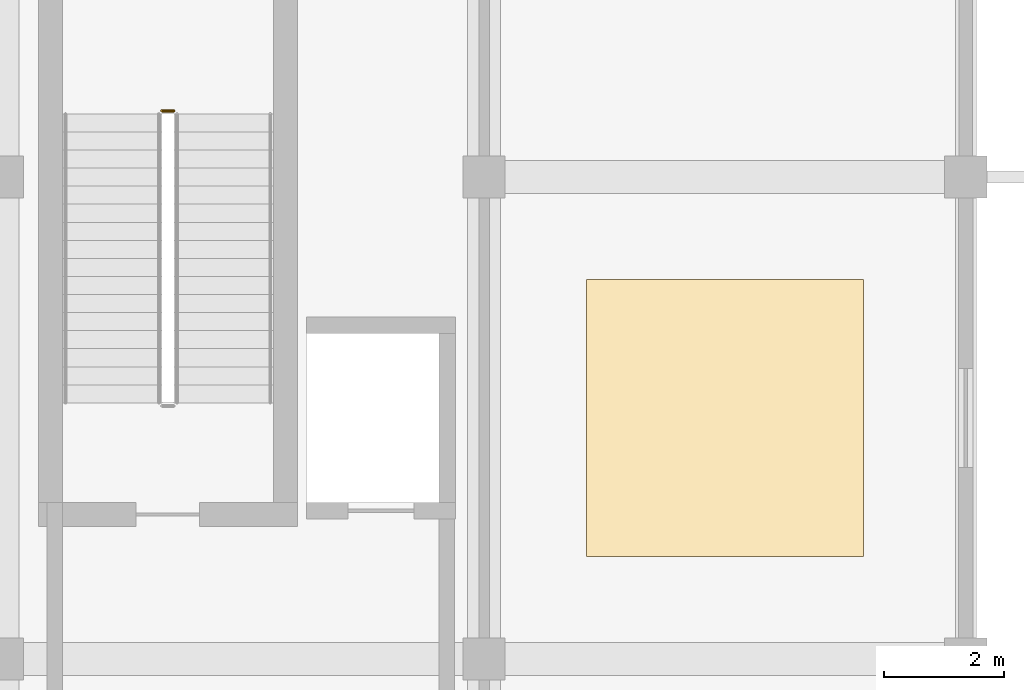
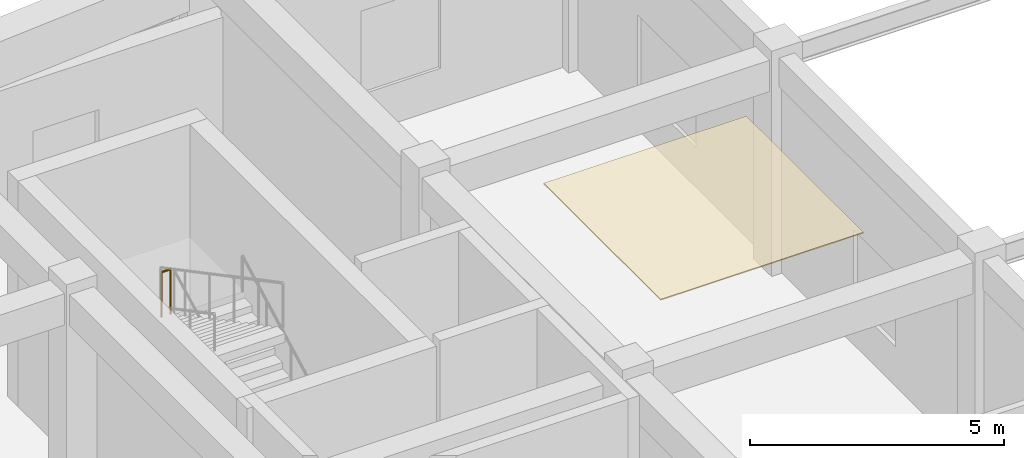
# One storey, part 61 of 69: 1 covering, 1 railing.
"""IFC4 building model written with IfcOpenShell, lengths in metres."""

from ifc_helpers import new_model, si_unit, direction, frame, origin, origin_2d, place, context, subcontext, project, spatial, rectangle, circle, extrude, material, layer, layer_set, type_object, element, save


model = new_model("IFC4")

# Units and contexts
model_context = context("Model", 3, precision=1e-05, world=origin(), true_north=direction((0.0, 1.0)))
body_context = subcontext(model_context, "Body", "Model", "MODEL_VIEW")
ifc_project = project(units=[si_unit("LENGTHUNIT", "METRE"), si_unit("AREAUNIT", "SQUARE_METRE"), si_unit("VOLUMEUNIT", "CUBIC_METRE"), si_unit("PLANEANGLEUNIT", "RADIAN"), si_unit("MASSUNIT", "GRAM", prefix="KILO")], contexts=[model_context])

# Site, building, storey
site_placement = place(None, origin())
site = spatial("IfcSite", under=ifc_project, at=site_placement, CompositionType="ELEMENT")
building_placement = place(site_placement, origin())
building = spatial("IfcBuilding", under=site, at=building_placement, Name="Kenh Van Central Station", CompositionType="ELEMENT")
storey_placement = place(building_placement, frame((0.0, 0.0, 5.39990234375)))
storey = spatial("IfcBuildingStorey", under=building, at=storey_placement, Name="L01", CompositionType="ELEMENT", Elevation=5.39990234375)

# Covering
ifc_material_1 = material(Name="Perforated acoustic mineral ceiling board")
ifc_layer = layer(ifc_material_1, 0.02490234375, Name="Perforated acoustic mineral ceiling board")
ifc_layer_set = layer_set([ifc_layer], Name="Perforated acoustic mineral ceiling board")
covering_type = type_object("IfcCoveringType", Name="COV-CEIL-ACOUST", PredefinedType="CEILING", material=ifc_layer_set)
covering_placement = place(storey_placement, frame((44.0, 52.0, 5.1171875), z_axis=(0.0, 0.0, 1.0), x_axis=(1.0, 0.0, 0.0)))
element("IfcCovering", 1, at=covering_placement, inside=storey, type_object=covering_type, Name="L01 acoustic ceiling panel 037", PredefinedType="CEILING", context=body_context, shape_type="SweptSolid", body=[
    extrude(rectangle(XDim=4.60009765625, YDim=4.60009765625, at=origin_2d()), origin(), (0.0, 0.0, 1.0), 0.02490234375),
])

# Railing
ifc_material_2 = material(Name="Champagne anodised aluminium", Category="aluminium")
railing_type = type_object("IfcRailingType", Name="RAIL-CORE-GRD110", PredefinedType="GUARDRAIL", material=ifc_material_2)
railing_placement = place(storey_placement, frame((34.85009765625, 57.10009765625, 2.7001953125)))
element("IfcRailing", 2, at=railing_placement, inside=storey, type_object=railing_type, Name="L01 ST-02 stair guard 2", PredefinedType="GUARDRAIL", context=body_context, shape_type="SweptSolid", body=[
    extrude(circle(Radius=0.02392578125, at=origin_2d()), frame((0.0, 0.0, 1.076171875), z_axis=(-1.0, 0.0, 0.0), x_axis=(0.0, -1.0, 0.0)), (0.0, 0.0, 1.0), 0.2001953125),
    extrude(circle(Radius=0.02099609375, at=origin_2d()), origin(), (0.0, 0.0, 1.0), 1.052001953125),
    extrude(circle(Radius=0.02099609375, at=origin_2d()), frame((-0.2001953125, 0.0, 0.0)), (0.0, 0.0, 1.0), 1.052001953125),
])

save(model, "model.ifc")
